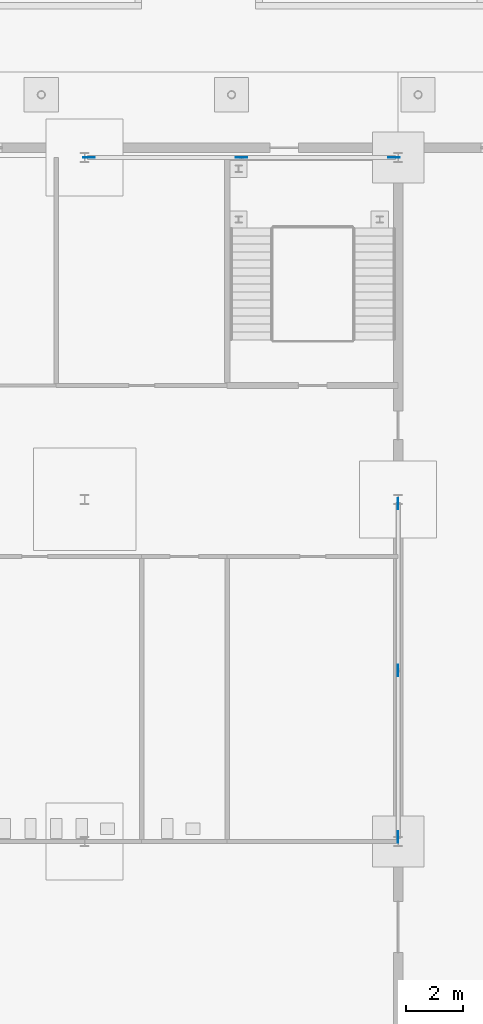
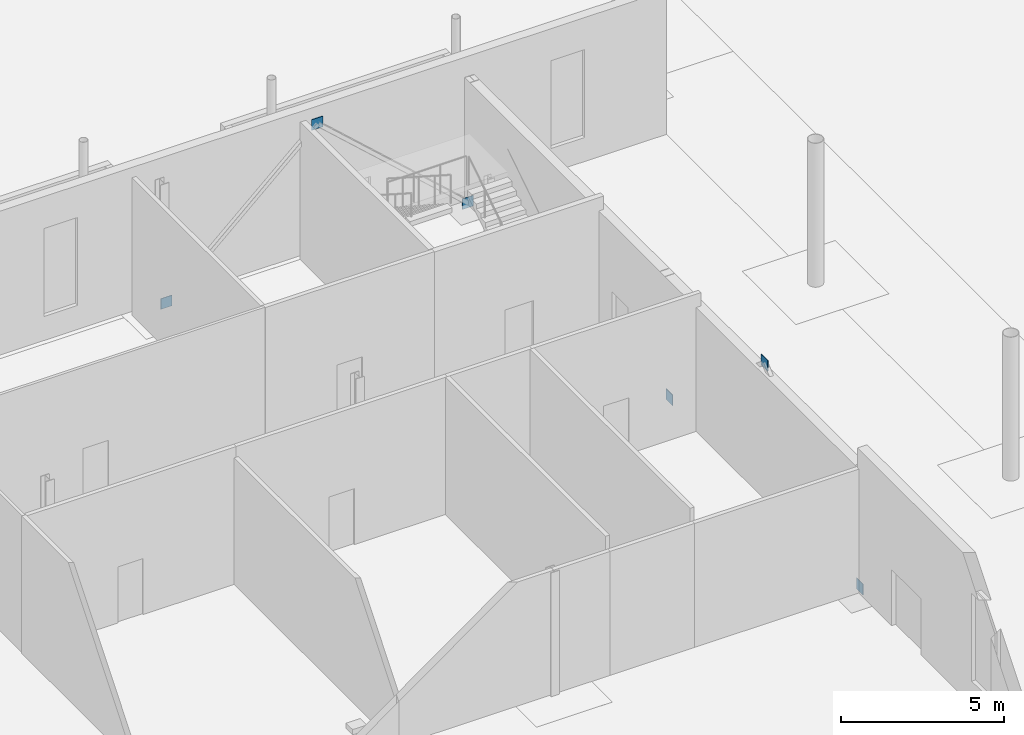
# One storey, part 107 of 132: 6 discrete accessories.
"""IFC4 building model written with IfcOpenShell, lengths in metres."""

from ifc_helpers import new_model, si_unit, direction, frame, origin, origin_2d, place, context, subcontext, project, spatial, rectangle, extrude, material, material_profile, profile_set, type_object, element, save


model = new_model("IFC4")

# Units and contexts
model_context = context("Model", 3, precision=1e-05, world=origin(), true_north=direction((0.0, 1.0)))
body_context = subcontext(model_context, "Body", "Model", "MODEL_VIEW")
ifc_project = project(units=[si_unit("LENGTHUNIT", "METRE"), si_unit("AREAUNIT", "SQUARE_METRE"), si_unit("VOLUMEUNIT", "CUBIC_METRE"), si_unit("PLANEANGLEUNIT", "RADIAN"), si_unit("MASSUNIT", "GRAM", prefix="KILO")], contexts=[model_context])

# Site, building, storey
site_placement = place(None, origin())
site = spatial("IfcSite", under=ifc_project, at=site_placement, CompositionType="ELEMENT")
building_placement = place(site_placement, origin())
building = spatial("IfcBuilding", under=site, at=building_placement, Name="Ravi Spectrum Wholesale Market", CompositionType="ELEMENT")
storey_placement = place(building_placement, origin())
storey = spatial("IfcBuildingStorey", under=building, at=storey_placement, Name="L00", CompositionType="ELEMENT", Elevation=0.0)

# Discrete accessories
ifc_material = material(Name="Steel S355", Category="steel")
ifc_material_profile = material_profile(ifc_material, rectangle(XDim=0.39990234375, YDim=0.02001953125, at=origin_2d()))
ifc_profile_set = profile_set([ifc_material_profile], Name="Steel S355")
discrete_accessory_type = type_object("IfcDiscreteAccessoryType", Name="Gusset plate 400x400x20", PredefinedType="BRACKET", material=ifc_profile_set)
for number, where, z_axis, x_axis, name in (
    (1, (92.14990234375, 195.0, -0.144287109375), (0.0, 0.0, 1.0), (1.0, 0.0, 0.0), "Gusset plate"),
    (2, (97.5, 195.0, 4.699951171875), (0.0, 0.0, 1.0), (1.0, 0.0, 0.0), "Gusset plate"),
    (3, (102.85009765625, 195.0, -0.144287109375), (0.0, 0.0, 1.0), (-1.0, 0.0, 0.0), "Gusset plate"),
    (4, (103.0, 171.14990234375, -0.14208984375), (0.0, 0.0, 1.0), (0.0, 1.0, 0.0), "Gusset plate"),
    (5, (103.0, 177.0, 4.699951171875), (0.0, 0.0, 1.0), (0.0, 1.0, 0.0), "Gusset plate"),
    (6, (103.0, 182.85009765625, -0.14208984375), (0.0, 0.0, 1.0), (0.0, -1.0, 0.0), "Gusset plate"),
):
    element("IfcDiscreteAccessory", number, at=place(storey_placement, frame(where, z_axis=z_axis, x_axis=x_axis)), inside=storey, type_object=discrete_accessory_type, Name=name, PredefinedType="BRACKET", context=body_context, shape_type="SweptSolid", body=[
        extrude(rectangle(XDim=0.39990234375, YDim=0.02001953125, at=origin_2d()), origin(), (0.0, 0.0, 1.0), 0.400146484375),
    ])

save(model, "model.ifc")
